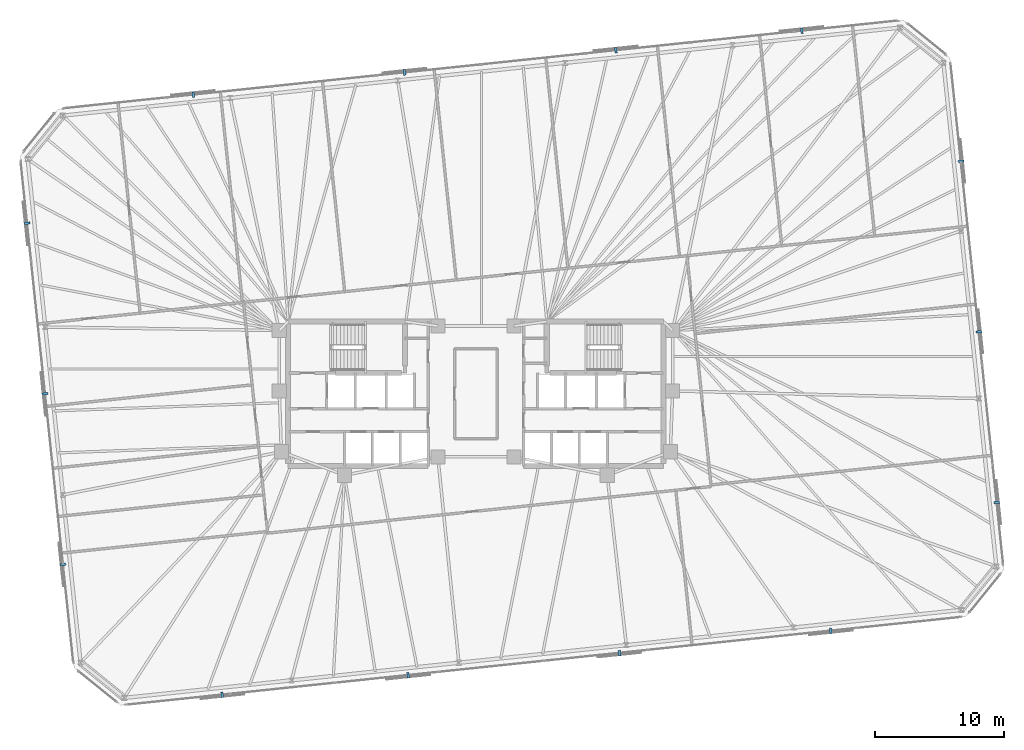
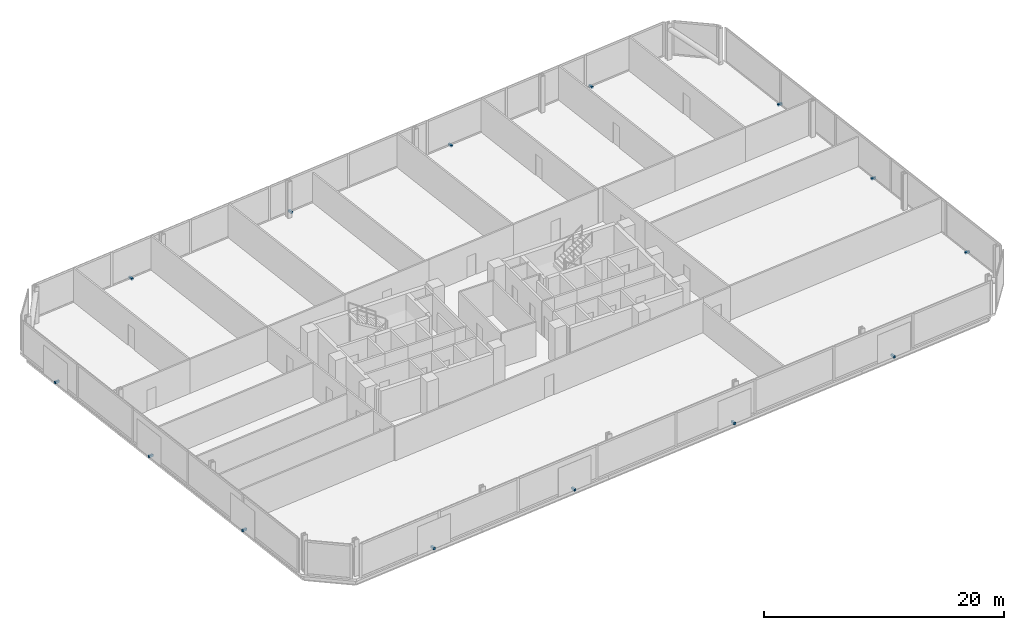
# One storey, part 17 of 18: 14 discrete accessories.
"""IFC4 building model written with IfcOpenShell, lengths in metres."""

import ifcopenshell
import ifcopenshell.guid

model = None  # the IFC model being written
_history = None  # IfcOwnerHistory: only IFC2X3 demands one
_inside = {}  # id of a spatial element -> (the spatial element, [elements in it])
_under = {}  # id of a project, library or spatial element -> (it, [spatial elements below it])
_declared = {}  # id of a project -> (the project, [libraries it declares])
_typed = {}  # id of a type object -> (the type object, [elements of that type])
_made_of = {}  # id of a material, layer set ... -> (it, [elements and type objects made of it])


def new_model(schema):
    """Start an empty IFC model of exactly this schema.

    Asked for "IFC4X3", IfcOpenShell would pick the latest addendum, in which some entities
    have other attributes; the version numbers below select the first issue.
    IFC2X3 requires an IfcOwnerHistory on every rooted entity: one is made here for all.
    """
    global model, _history
    if schema == "IFC4X3":
        model = ifcopenshell.file(schema_version=(4, 3, 0, 0))
    else:
        model = ifcopenshell.file(schema=schema)
    _inside.clear()
    _under.clear()
    _declared.clear()
    _typed.clear()
    _made_of.clear()
    _history = None
    if model.schema == "IFC2X3":
        org = make("IfcOrganization", Name="unknown")
        user = make(
            "IfcPersonAndOrganization",
            ThePerson=make("IfcPerson", FamilyName="unknown"),
            TheOrganization=org,
        )
        app = make(
            "IfcApplication",
            ApplicationDeveloper=org,
            Version="unknown",
            ApplicationFullName="unknown",
            ApplicationIdentifier="unknown",
        )
        _history = make(
            "IfcOwnerHistory",
            OwningUser=user,
            OwningApplication=app,
            ChangeAction="ADDED",
            CreationDate=0,
        )
    return model


def make(cls, **values):
    """One entity of the class cls with the attributes given. An attribute that is None is left unset."""
    return model.create_entity(
        cls, **{name: value for name, value in values.items() if value is not None}
    )


def rooted(cls, **values):
    """An entity with a GlobalId (a new one), such as an element, a storey or a relation."""
    return make(cls, GlobalId=ifcopenshell.guid.new(), OwnerHistory=_history, **values)


def si_unit(unit_type, name, prefix=None):
    """IfcSIUnit, for example si_unit("LENGTHUNIT", "METRE", prefix="MILLI")."""
    return make("IfcSIUnit", UnitType=unit_type, Prefix=prefix, Name=name)


def assignment(units):
    """IfcUnitAssignment: the units of a project."""
    return None if units is None else make("IfcUnitAssignment", Units=units)


def point(xyz):
    """IfcCartesianPoint."""
    return None if xyz is None else make("IfcCartesianPoint", Coordinates=xyz)


def direction(xyz):
    """IfcDirection."""
    return None if xyz is None else make("IfcDirection", DirectionRatios=xyz)


def frame(location, z_axis=None, x_axis=None):
    """IfcAxis2Placement3D, a coordinate frame: its origin and axes. An axis left out is left unset."""
    return make(
        "IfcAxis2Placement3D",
        Location=point(location),
        Axis=direction(z_axis),
        RefDirection=direction(x_axis),
    )


def frame_2d(location, x_axis=None):
    """IfcAxis2Placement2D, a coordinate frame in the plane: its origin and x axis."""
    return make(
        "IfcAxis2Placement2D", Location=point(location), RefDirection=direction(x_axis)
    )


def origin():
    """The frame at (0, 0, 0) with its axes left unset."""
    return frame((0.0, 0.0, 0.0))


def origin_2d():
    """The frame at (0, 0) in the plane with its x axis left unset."""
    return frame_2d((0.0, 0.0))


def place(relative_to, where):
    """IfcLocalPlacement: puts the frame where relative to a parent placement (None: the world)."""
    return make(
        "IfcLocalPlacement", PlacementRelTo=relative_to, RelativePlacement=where
    )


def context(
    kind, dimensions, precision=None, world=None, true_north=None, identifier=None
):
    """IfcGeometricRepresentationContext, for example the 3D "Model" context."""
    return make(
        "IfcGeometricRepresentationContext",
        ContextIdentifier=identifier,
        ContextType=kind,
        CoordinateSpaceDimension=dimensions,
        Precision=precision,
        WorldCoordinateSystem=world,
        TrueNorth=true_north,
    )


def subcontext(parent, identifier, kind, view, scale=None):
    """IfcGeometricRepresentationSubContext, for example "Body" below "Model"."""
    return make(
        "IfcGeometricRepresentationSubContext",
        ContextIdentifier=identifier,
        ContextType=kind,
        ParentContext=parent,
        TargetScale=scale,
        TargetView=view,
    )


def project(units=None, contexts=None):
    """IfcProject with its units and contexts."""
    return rooted(
        "IfcProject",
        Name="project",
        RepresentationContexts=contexts,
        UnitsInContext=assignment(units),
    )


def spatial(cls, under=None, at=None, **own):
    """A site, building, storey or space (cls), placed at a placement, below another one or the project."""
    s = rooted(cls, ObjectPlacement=at, **own)
    if under is not None:
        _under.setdefault(under.id(), (under, []))[1].append(s)
    return s


def profile(cls, at=None, kind="AREA", **sizes):
    """A parametric profile (cls). Its sizes go by their IFC names, for example OverallWidth=200.0."""
    return make(cls, ProfileType=kind, Position=at, **sizes)


def rectangle(**sizes):
    """IfcRectangleProfileDef."""
    return profile("IfcRectangleProfileDef", **sizes)


def extrude(swept, where, along, depth):
    """IfcExtrudedAreaSolid: the profile swept, set in the frame where, extruded along a direction by depth."""
    return make(
        "IfcExtrudedAreaSolid",
        SweptArea=swept,
        Position=where,
        ExtrudedDirection=direction(along),
        Depth=depth,
    )


def shape(context_of_items, identifier, shape_type, items):
    """IfcShapeRepresentation: the items that make up one representation, for example the "Body"."""
    return make(
        "IfcShapeRepresentation",
        ContextOfItems=context_of_items,
        RepresentationIdentifier=identifier,
        RepresentationType=shape_type,
        Items=items,
    )


def material(Name=None, Category=None):
    """IfcMaterial."""
    return make("IfcMaterial", Name=Name, Category=Category)


def made_of(thing, what):
    """Note that an element or type object is made of a material, layer set ...; save() writes the relation."""
    if what is not None:
        _made_of.setdefault(what.id(), (what, []))[1].append(thing)
    return thing


def type_object(cls, material=None, **own):
    """A type object (cls), such as IfcWallType, which elements share."""
    return made_of(rooted(cls, **own), material)


def element(
    cls,
    number,
    at=None,
    inside=None,
    cuts=None,
    type_object=None,
    material=None,
    context=None,
    identifier="Body",
    shape_type=None,
    held_by="IfcProductDefinitionShape",
    body=None,
    shapes=None,
    **own,
):
    """One element of the class cls, such as IfcWall. Its Tag is "e" and its number.

    at: its placement. inside: the storey or other place that contains it. cuts: it is an
    opening in that element (IfcRelVoidsElement). A single representation is given by context,
    identifier, shape_type and body (its items); several are given by shapes. held_by: the class
    of the entity that holds the representations. save() writes the other relations.
    """
    e = rooted(cls, Tag="e%d" % number, ObjectPlacement=at, **own)
    if body is not None:
        shapes = [shape(context, identifier, shape_type, body)]
    if shapes is not None:
        e.Representation = make(held_by, Representations=shapes)
    if inside is not None:
        _inside.setdefault(inside.id(), (inside, []))[1].append(e)
    if cuts is not None:
        rooted(
            "IfcRelVoidsElement", RelatingBuildingElement=cuts, RelatedOpeningElement=e
        )
    if type_object is not None:
        _typed.setdefault(type_object.id(), (type_object, []))[1].append(e)
    return made_of(e, material)


def aggregate(whole, parts):
    """IfcRelAggregates: a whole, such as a stair, and the parts it consists of."""
    return rooted("IfcRelAggregates", RelatingObject=whole, RelatedObjects=parts)


def save(model, path):
    """Write the relations noted so far, then the file.

    IfcRelAggregates (storeys below a building ...), IfcRelContainedInSpatialStructure (elements
    in a storey), IfcRelDefinesByType, IfcRelAssociatesMaterial and IfcRelDeclares: one each for
    every whole, place, type object, material and project.
    """
    for whole, parts in _under.values():
        aggregate(whole, parts)
    for where, things in _inside.values():
        rooted(
            "IfcRelContainedInSpatialStructure",
            RelatedElements=things,
            RelatingStructure=where,
        )
    for kind, things in _typed.values():
        rooted("IfcRelDefinesByType", RelatedObjects=things, RelatingType=kind)
    for what, things in _made_of.values():
        rooted("IfcRelAssociatesMaterial", RelatedObjects=things, RelatingMaterial=what)
    for by, libraries in _declared.values():
        rooted("IfcRelDeclares", RelatingContext=by, RelatedDefinitions=libraries)
    model.write(path)


model = new_model("IFC4")

# Units and contexts
model_context = context("Model", 3, precision=1e-05, world=origin(), true_north=direction((0.0, 1.0)))
body_context = subcontext(model_context, "Body", "Model", "MODEL_VIEW")
ifc_project = project(units=[si_unit("LENGTHUNIT", "METRE"), si_unit("AREAUNIT", "SQUARE_METRE"), si_unit("VOLUMEUNIT", "CUBIC_METRE"), si_unit("PLANEANGLEUNIT", "RADIAN"), si_unit("MASSUNIT", "GRAM", prefix="KILO")], contexts=[model_context])

# Site, building, storey
site_placement = place(None, origin())
site = spatial("IfcSite", under=ifc_project, at=site_placement, CompositionType="ELEMENT")
building_placement = place(site_placement, origin())
building = spatial("IfcBuilding", under=site, at=building_placement, Name="Menara Jurai Vektor", CompositionType="ELEMENT")
storey_placement = place(building_placement, frame((0.0, 0.0, 105.89990234375)))
storey = spatial("IfcBuildingStorey", under=building, at=storey_placement, Name="L26", CompositionType="ELEMENT", Elevation=105.89990234375)

# Discrete accessories
ifc_material = material(Name="Steel S355", Category="steel")
discrete_accessory_type = type_object("IfcDiscreteAccessoryType", Name="ENV-ACC-BRACKET", PredefinedType="BRACKET", material=ifc_material)
for number, where, z_axis, x_axis, name in (
    (1, (-19.673583984375, -23.35009765625, -0.1298828125), (0.0, 0.0, 1.0), (0.994521895368, 0.104528463268, 0.0), "Solar Screen Stand-Off Bracket L26-S01"),
    (2, (-5.2548828125, -21.834716796875, -0.1298828125), (0.0, 0.0, 1.0), (0.994521895368, 0.104528463268, 0.0), "Solar Screen Stand-Off Bracket L26-S02"),
    (3, (11.1298828125, -20.112548828125, -0.1298828125), (0.0, 0.0, 1.0), (0.994521895368, 0.104528463268, 0.0), "Solar Screen Stand-Off Bracket L26-S03"),
    (4, (27.5146484375, -18.390380859375, -0.1298828125), (0.0, 0.0, 1.0), (0.994521895368, 0.104528463268, 0.0), "Solar Screen Stand-Off Bracket L26-S04"),
    (5, (40.397705078125, -8.42578125, -0.1298828125), (0.0, 0.0, 1.0), (-0.104528463268, 0.994521895368, 0.0), "Solar Screen Stand-Off Bracket L26-S05"),
    (6, (39.00732421875, 4.80126953125, -0.1298828125), (0.0, 0.0, 1.0), (-0.104528463268, 0.994521895368, 0.0), "Solar Screen Stand-Off Bracket L26-S06"),
    (7, (37.6171875, 18.028564453125, -0.1298828125), (0.0, 0.0, 1.0), (-0.104528463268, 0.994521895368, 0.0), "Solar Screen Stand-Off Bracket L26-S07"),
    (8, (25.2734375, 28.150146484375, -0.1298828125), (0.0, 0.0, 1.0), (-0.994521895368, -0.104528463268, 0.0), "Solar Screen Stand-Off Bracket L26-S08"),
    (9, (10.85498046875, 26.634765625, -0.1298828125), (0.0, 0.0, 1.0), (-0.994521895368, -0.104528463268, 0.0), "Solar Screen Stand-Off Bracket L26-S09"),
    (10, (-5.52978515625, 24.91259765625, -0.1298828125), (0.0, 0.0, 1.0), (-0.994521895368, -0.104528463268, 0.0), "Solar Screen Stand-Off Bracket L26-S10"),
    (11, (-21.91455078125, 23.1904296875, -0.1298828125), (0.0, 0.0, 1.0), (-0.994521895368, -0.104528463268, 0.0), "Solar Screen Stand-Off Bracket L26-S11"),
    (12, (-34.797607421875, 13.225830078125, -0.1298828125), (0.0, 0.0, 1.0), (0.104528463268, -0.994521895368, 0.0), "Solar Screen Stand-Off Bracket L26-S12"),
    (13, (-33.407470703125, -0.001220703125, -0.1298828125), (0.0, 0.0, 1.0), (0.104528463268, -0.994521895368, 0.0), "Solar Screen Stand-Off Bracket L26-S13"),
    (14, (-32.01708984375, -13.228515625, -0.1298828125), (0.0, 0.0, 1.0), (0.104528463268, -0.994521895368, 0.0), "Solar Screen Stand-Off Bracket L26-S14"),
):
    element("IfcDiscreteAccessory", number, at=place(storey_placement, frame(where, z_axis=z_axis, x_axis=x_axis)), inside=storey, type_object=discrete_accessory_type, Name=name, PredefinedType="BRACKET", context=body_context, shape_type="SweptSolid", body=[
        extrude(rectangle(XDim=0.179931640625, YDim=0.43994140625, at=origin_2d()), origin(), (0.0, 0.0, 1.0), 0.219970703125),
    ])

save(model, "model.ifc")
